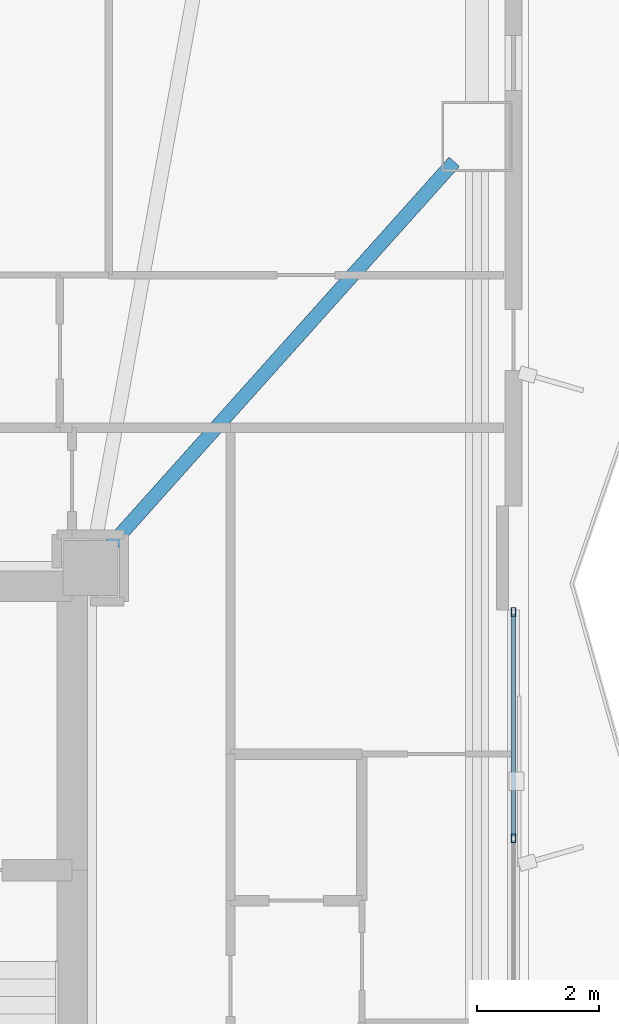
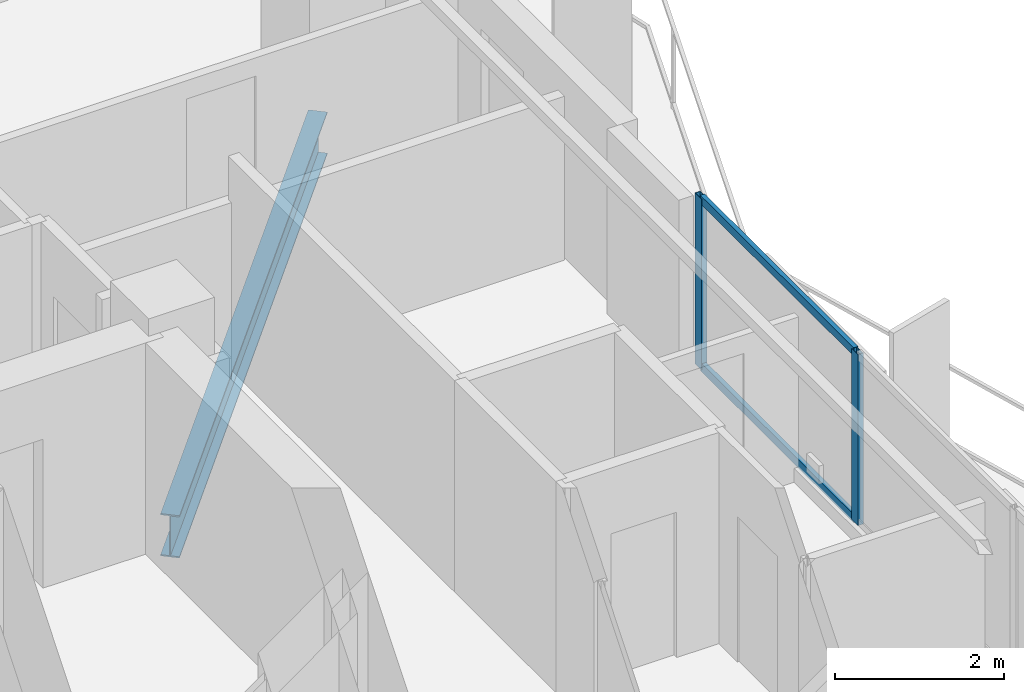
# One storey, part 10 of 23: 4 members, 1 beam, 1 element without a shape of its own.
"""IFC4 building model written with IfcOpenShell, lengths in metres."""

from ifc_helpers import new_model, si_unit, direction, frame, origin, origin_2d, place, context, subcontext, project, spatial, hollow_rectangle, i_section, extrude, material, layer, layer_set, material_profile, profile_set, type_object, element, aggregate, save


model = new_model("IFC4")

# Units and contexts
model_context = context("Model", 3, precision=1e-05, world=origin(), true_north=direction((0.0, 1.0)))
body_context = subcontext(model_context, "Body", "Model", "MODEL_VIEW")
ifc_project = project(units=[si_unit("LENGTHUNIT", "METRE"), si_unit("AREAUNIT", "SQUARE_METRE"), si_unit("VOLUMEUNIT", "CUBIC_METRE"), si_unit("PLANEANGLEUNIT", "RADIAN"), si_unit("MASSUNIT", "GRAM", prefix="KILO")], contexts=[model_context])

# Site, building, storey
site_placement = place(None, origin())
site = spatial("IfcSite", under=ifc_project, at=site_placement, CompositionType="ELEMENT")
building_placement = place(site_placement, origin())
building = spatial("IfcBuilding", under=site, at=building_placement, Name="Mersakhor Tower and Convention Hall", CompositionType="ELEMENT")
storey_placement = place(building_placement, frame((0.0, 0.0, 80.10009765625)))
storey = spatial("IfcBuildingStorey", under=building, at=storey_placement, Name="L21", CompositionType="ELEMENT", Elevation=80.10009765625)

# Beam
ifc_material_1 = material(Name="Steel S355", Category="steel")
ifc_material_profile_1 = material_profile(ifc_material_1, i_section(OverallWidth=0.22900390625, OverallDepth=0.6123046875, WebThickness=0.011962890625, FlangeThickness=0.01953125, at=origin_2d()), Name="UB 610x229x125")
ifc_profile_set_1 = profile_set([ifc_material_profile_1], Name="Steel S355")
beam_type = type_object("IfcBeamType", Name="BM-PR-610", PredefinedType="BEAM", material=ifc_profile_set_1)
beam_placement = place(storey_placement, frame((36.386962890625, 33.370361328125, -0.55615234375), z_axis=(0.66721913788, 0.744861478428, 0.0), x_axis=(-0.744861478428, 0.66721913788, 0.0)))
element("IfcBeam", 1, at=beam_placement, inside=storey, type_object=beam_type, Name="L21 Primary Floor Girder FG-3", PredefinedType="BEAM", context=body_context, shape_type="SweptSolid", body=[
    extrude(i_section(OverallWidth=0.22900390625, OverallDepth=0.6123046875, WebThickness=0.011962890625, FlangeThickness=0.01953125, at=origin_2d()), origin(), (0.0, 0.0, 1.0), 8.5087890625),
])

# Curtain wall, members
ifc_material_2 = material(Name="Dark solar low-E aluminium curtain wall", Category="aluminium")
ifc_layer = layer(ifc_material_2, 0.159912109375)
ifc_layer_set = layer_set([ifc_layer], Name="Dark solar low-E aluminium curtain wall")
curtain_wall_type = type_object("IfcCurtainWallType", Name="CW-SYS-01", PredefinedType="USERDEFINED", material=ifc_layer_set)
curtain_wall_placement = place(storey_placement, origin())
curtain_wall = element("IfcCurtainWall", 2, at=curtain_wall_placement, inside=storey, type_object=curtain_wall_type, Name="L21 Dark-Glass Curtain Wall F2-B2", ObjectType="CURTAIN WALL", PredefinedType="USERDEFINED")
ifc_material_3 = material(Name="Anodised aluminium EN AW-6063 T6", Category="aluminium")
ifc_material_profile_2 = material_profile(ifc_material_3, hollow_rectangle(XDim=0.074951171875, YDim=0.14990234375, WallThickness=0.00634765625, at=origin_2d()), Name="RHS 150x75x6.3")
ifc_profile_set_2 = profile_set([ifc_material_profile_2], Name="Anodised aluminium EN AW-6063 T6")
member_type_1 = type_object("IfcMemberType", Name="CWM-150x75", PredefinedType="MULLION", material=ifc_profile_set_2)
member_1_placement = place(storey_placement, frame((43.03466796875, 32.327392578125, 0.199951171875), z_axis=(0.0, 0.0, 1.0), x_axis=(1.0, 0.0, 0.0)))
member_1 = element("IfcMember", 3, at=member_1_placement, type_object=member_type_1, Name="CW-01 mullion 1", PredefinedType="MULLION", context=body_context, shape_type="SweptSolid", body=[
    extrude(hollow_rectangle(XDim=0.074951171875, YDim=0.14990234375, WallThickness=0.00634765625, at=origin_2d()), origin(), (0.0, 0.0, 1.0), 2.469970703125),
])
member_2_placement = place(storey_placement, frame((43.03466796875, 28.62158203125, 0.199951171875), z_axis=(0.0, 0.0, 1.0), x_axis=(1.0, 0.0, 0.0)))
member_2 = element("IfcMember", 4, at=member_2_placement, type_object=member_type_1, Name="CW-01 mullion 2", PredefinedType="MULLION", context=body_context, shape_type="SweptSolid", body=[
    extrude(hollow_rectangle(XDim=0.074951171875, YDim=0.14990234375, WallThickness=0.00634765625, at=origin_2d()), origin(), (0.0, 0.0, 1.0), 2.469970703125),
])
ifc_material_4 = material(Name="Anodised aluminium EN AW-6063 T6", Category="aluminium")
ifc_material_profile_3 = material_profile(ifc_material_4, hollow_rectangle(XDim=0.06005859375, YDim=0.1201171875, WallThickness=0.0048828125, at=origin_2d()), Name="RHS 120x60x5")
ifc_profile_set_3 = profile_set([ifc_material_profile_3], Name="Anodised aluminium EN AW-6063 T6")
member_type_2 = type_object("IfcMemberType", Name="CWT-120x60", PredefinedType="USERDEFINED", material=ifc_profile_set_3)
member_3_placement = place(storey_placement, frame((43.03466796875, 32.289794921875, 0.22998046875), z_axis=(0.0, -1.0, 0.0), x_axis=(1.0, 0.0, 0.0)))
member_3 = element("IfcMember", 5, at=member_3_placement, type_object=member_type_2, Name="CW-01 transom 1.1", ObjectType="TRANSOM", PredefinedType="USERDEFINED", context=body_context, shape_type="SweptSolid", body=[
    extrude(hollow_rectangle(XDim=0.06005859375, YDim=0.1201171875, WallThickness=0.0048828125, at=origin_2d()), origin(), (0.0, 0.0, 1.0), 3.630615234375),
])
member_4_placement = place(storey_placement, frame((43.03466796875, 32.289794921875, 2.639892578125), z_axis=(0.0, -1.0, 0.0), x_axis=(1.0, 0.0, 0.0)))
member_4 = element("IfcMember", 6, at=member_4_placement, type_object=member_type_2, Name="CW-01 transom 1.2", ObjectType="TRANSOM", PredefinedType="USERDEFINED", context=body_context, shape_type="SweptSolid", body=[
    extrude(hollow_rectangle(XDim=0.06005859375, YDim=0.1201171875, WallThickness=0.0048828125, at=origin_2d()), origin(), (0.0, 0.0, 1.0), 3.630615234375),
])
aggregate(curtain_wall, [member_1, member_2, member_3, member_4])

save(model, "model.ifc")
